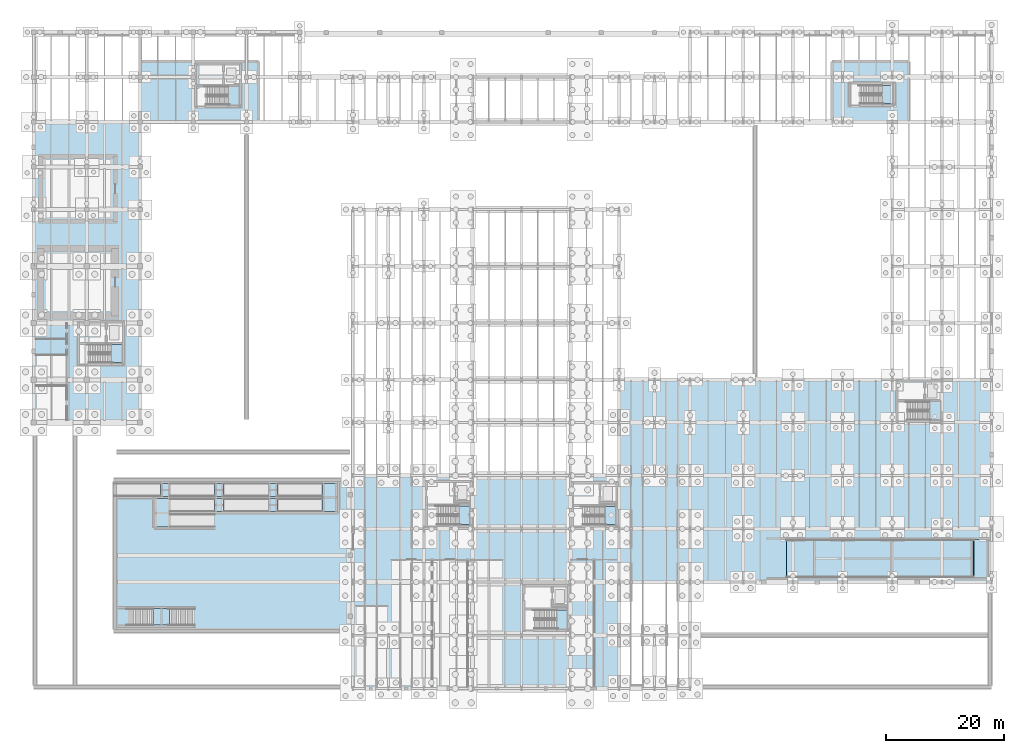
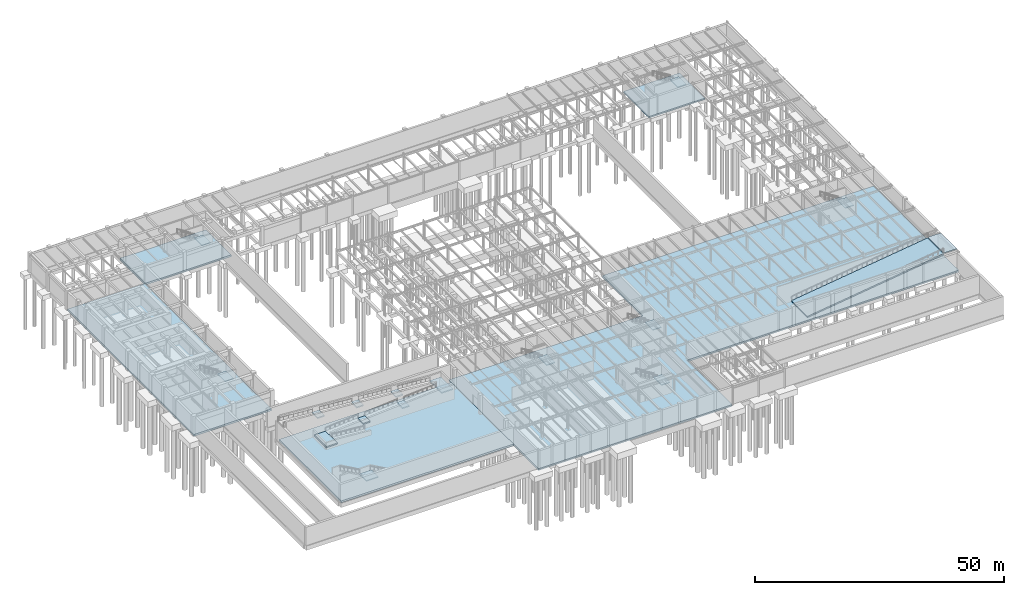
# One storey, part 38 of 59: 22 slabs, 15 elements without a shape of their own.
"""IFC4 building model written with IfcOpenShell, lengths in metres."""

from ifc_helpers import new_model, si_unit, direction, frame, origin, place, context, subcontext, project, spatial, polyline, outline, extrude, material, layer, layer_set, type_object, element, aggregate, save


model = new_model("IFC4")

# Units and contexts
model_context = context("Model", 3, precision=1e-05, world=origin(), true_north=direction((0.0, 1.0)))
body_context = subcontext(model_context, "Body", "Model", "MODEL_VIEW")
ifc_project = project(units=[si_unit("LENGTHUNIT", "METRE"), si_unit("AREAUNIT", "SQUARE_METRE"), si_unit("VOLUMEUNIT", "CUBIC_METRE"), si_unit("PLANEANGLEUNIT", "RADIAN"), si_unit("MASSUNIT", "GRAM", prefix="KILO")], contexts=[model_context])

# Site, building, storey
site_placement = place(None, origin())
site = spatial("IfcSite", under=ifc_project, at=site_placement, CompositionType="ELEMENT")
building_placement = place(site_placement, origin())
building = spatial("IfcBuilding", under=site, at=building_placement, Name="Montealbar Specialist Clinic", CompositionType="ELEMENT")
storey_placement = place(building_placement, frame((0.0, 0.0, -4.800048828125)))
storey = spatial("IfcBuildingStorey", under=building, at=storey_placement, Name="B01", CompositionType="ELEMENT", Elevation=-4.800048828125)

# Slabs
ifc_material_1 = material(Name="Concrete C35/45", Category="concrete")
ifc_layer_1 = layer(ifc_material_1, 0.39990234375, Name="Concrete C35/45", Category="concrete")
ifc_layer_set_1 = layer_set([ifc_layer_1], Name="Concrete C35/45")
slab_type_1 = type_object("IfcSlabType", Name="SL-BASE-400", PredefinedType="BASESLAB", material=ifc_layer_set_1)
slab_1_placement = place(storey_placement, frame((0.0, 0.0, -0.39990234375)))
element("IfcSlab", 1, at=slab_1_placement, inside=storey, type_object=slab_type_1, Name="Structural Slab B01 Wing 2", PredefinedType="BASESLAB", context=body_context, shape_type="SweptSolid", body=[
    extrude(outline(polyline([(148.0, 95.800048828125), (135.0, 95.800048828125), (135.0, 106.0), (148.0, 106.0), (148.0, 95.800048828125)])), origin(), (0.0, 0.0, 1.0), 0.39990234375),
])
ifc_layer_2 = layer(ifc_material_1, 0.449951171875, Name="Concrete C35/45", Category="concrete")
ifc_layer_set_2 = layer_set([ifc_layer_2], Name="Concrete C35/45")
slab_type_2 = type_object("IfcSlabType", Name="SL-BASE-450", PredefinedType="BASESLAB", material=ifc_layer_set_2)
slab_2_placement = place(storey_placement, frame((0.0, 0.0, -0.449951171875)))
element("IfcSlab", 2, at=slab_2_placement, inside=storey, type_object=slab_type_2, Name="Structural Slab B01 Wing 1", PredefinedType="BASESLAB", context=body_context, shape_type="SweptSolid", body=[
    extrude(outline(polyline([(54.0, 0.0), (54.0, 36.0), (99.0, 36.0), (99.0, 52.199951171875), (162.0, 52.199951171875), (162.0, 18.0), (99.0, 18.0), (99.0, 0.0), (54.0, 0.0)])), origin(), (0.0, 0.0, 1.0), 0.449951171875),
])
slab_3_placement = place(storey_placement, frame((0.0, 0.0, -0.449951171875)))
element("IfcSlab", 3, at=slab_3_placement, inside=storey, type_object=slab_type_2, Name="Structural Slab B01 Wing 3", PredefinedType="BASESLAB", context=body_context, shape_type="SweptSolid", body=[
    extrude(outline(polyline([(0.0, 45.0), (0.0, 95.800048828125), (18.0, 95.800048828125), (18.0, 45.0), (0.0, 45.0)])), origin(), (0.0, 0.0, 1.0), 0.449951171875),
])
slab_4_placement = place(storey_placement, frame((0.0, 0.0, -0.449951171875)))
element("IfcSlab", 4, at=slab_4_placement, inside=storey, type_object=slab_type_2, Name="Structural Slab B01 Wing 4", PredefinedType="BASESLAB", context=body_context, shape_type="SweptSolid", body=[
    extrude(outline(polyline([(18.0, 95.800048828125), (18.0, 106.0), (38.0, 106.0), (38.0, 95.800048828125), (18.0, 95.800048828125)])), origin(), (0.0, 0.0, 1.0), 0.449951171875),
])

# Stair, slab
ifc_material_2 = material(Name="Guadarrama granite ashlar", Category="masonry")
stair_type_1 = type_object("IfcStairType", Name="STAIR-METRO-GRAND", PredefinedType="STRAIGHT_RUN_STAIR", material=ifc_material_2)
stair_1_placement = place(storey_placement, origin())
stair_1 = element("IfcStair", 5, at=stair_1_placement, inside=storey, type_object=stair_type_1, Name="Sunken Metro Forecourt Ceremonial Grand Stair ST-M1", PredefinedType="STRAIGHT_RUN_STAIR")
ifc_layer_3 = layer(ifc_material_2, 0.239990234375, Name="Guadarrama granite ashlar", Category="masonry")
ifc_layer_set_3 = layer_set([ifc_layer_3], Name="Guadarrama granite ashlar")
slab_type_3 = type_object("IfcSlabType", Name="SL-METRO-LAND-240", PredefinedType="LANDING", material=ifc_layer_set_3)
slab_5_placement = place(storey_placement, frame((0.0, 0.0, 2.16015625)))
slab_5 = element("IfcSlab", 6, at=slab_5_placement, type_object=slab_type_3, Name="Grand Stair ST-M1 Intermediate Landing", PredefinedType="LANDING", context=body_context, shape_type="SweptSolid", body=[
    extrude(outline(polyline([(20.199951171875, 10.699951171875), (23.0, 10.699951171875), (23.0, 13.5), (20.199951171875, 13.5), (20.199951171875, 10.699951171875)])), origin(), (0.0, 0.0, 1.0), 0.239990234375),
])
aggregate(stair_1, [slab_5])

# Slabs
ifc_layer_4 = layer(ifc_material_1, 0.449951171875, Name="Concrete C35/45", Category="concrete")
ifc_layer_set_4 = layer_set([ifc_layer_4], Name="Concrete C35/45")
slab_type_4 = type_object("IfcSlabType", Name="SL-PAVING-450", PredefinedType="USERDEFINED", material=ifc_layer_set_4)
slab_6_placement = place(storey_placement, frame((0.0, 0.0, -0.449951171875)))
element("IfcSlab", 7, at=slab_6_placement, inside=storey, type_object=slab_type_4, Name="Sunken Metro Forecourt Plaza Paving", ObjectType="PAVING", PredefinedType="USERDEFINED", context=body_context, shape_type="SweptSolid", body=[
    extrude(outline(polyline([(54.0, 10.0), (54.0, 35.0), (14.0, 35.0), (14.0, 10.0), (54.0, 10.0)])), origin(), (0.0, 0.0, 1.0), 0.449951171875),
])
ifc_layer_5 = layer(ifc_material_1, 0.219970703125, Name="Concrete C35/45", Category="concrete")
ifc_layer_set_5 = layer_set([ifc_layer_5], Name="Concrete C35/45")
slab_type_5 = type_object("IfcSlabType", Name="SL-RAMP-LAND-220", PredefinedType="LANDING", material=ifc_layer_set_5)
slab_7_placement = place(storey_placement, frame((0.0, 0.0, 4.580078125)))
element("IfcSlab", 8, at=slab_7_placement, inside=storey, type_object=slab_type_5, Name="Basement Ambulance & Car Park Vehicle Ramp VR-01 Grade Threshold Landing", PredefinedType="LANDING", context=body_context, shape_type="SweptSolid", body=[
    extrude(outline(polyline([(159.0, 18.800048828125), (162.0, 18.800048828125), (162.0, 25.199951171875), (159.0, 25.199951171875), (159.0, 18.800048828125)])), origin(), (0.0, 0.0, 1.0), 0.219970703125),
])

# Ramp, slab
ramp_type = type_object("IfcRampType", Name="RAMP-PED-TYPE", PredefinedType="STRAIGHT_RUN_RAMP", material=ifc_material_2)
ramp_1_placement = place(storey_placement, origin())
ramp_1 = element("IfcRamp", 9, at=ramp_1_placement, inside=storey, type_object=ramp_type, material=ifc_material_2, Name="Sunken Forecourt Accessible Terrace Ramp PR-01", PredefinedType="STRAIGHT_RUN_RAMP")
ifc_layer_6 = layer(ifc_material_2, 0.300048828125, Name="Guadarrama granite ashlar", Category="masonry")
ifc_layer_set_6 = layer_set([ifc_layer_6], Name="Guadarrama granite ashlar")
slab_type_6 = type_object("IfcSlabType", Name="SL-RAMP-LAND-240-EXT", PredefinedType="LANDING", material=ifc_layer_set_6)
slab_8_placement = place(storey_placement, frame((0.0, 0.0, 3.900146484375)))
slab_8 = element("IfcSlab", 10, at=slab_8_placement, type_object=slab_type_6, Name="Accessible Ramp Intermediate Landing PR-01", PredefinedType="LANDING", context=body_context, shape_type="SweptSolid", body=[
    extrude(outline(polyline([(21.5, 32.5), (23.10009765625, 32.5), (23.10009765625, 34.699951171875), (21.5, 34.699951171875), (21.5, 32.5)])), origin(), (0.0, 0.0, 1.0), 0.2998046875),
])
aggregate(ramp_1, [slab_8])

ramp_2_placement = place(storey_placement, origin())
ramp_2 = element("IfcRamp", 11, at=ramp_2_placement, inside=storey, type_object=ramp_type, material=ifc_material_2, Name="Sunken Forecourt Accessible Terrace Ramp PR-02", PredefinedType="STRAIGHT_RUN_RAMP")
slab_9_placement = place(storey_placement, frame((0.0, 0.0, 3.300048828125)))
slab_9 = element("IfcSlab", 12, at=slab_9_placement, type_object=slab_type_6, Name="Accessible Ramp Intermediate Landing PR-02", PredefinedType="LANDING", context=body_context, shape_type="SweptSolid", body=[
    extrude(outline(polyline([(30.60009765625, 32.5), (32.199951171875, 32.5), (32.199951171875, 34.699951171875), (30.60009765625, 34.699951171875), (30.60009765625, 32.5)])), origin(), (0.0, 0.0, 1.0), 0.300048828125),
])
aggregate(ramp_2, [slab_9])

ramp_3_placement = place(storey_placement, origin())
ramp_3 = element("IfcRamp", 13, at=ramp_3_placement, inside=storey, type_object=ramp_type, material=ifc_material_2, Name="Sunken Forecourt Accessible Terrace Ramp PR-03", PredefinedType="STRAIGHT_RUN_RAMP")
slab_10_placement = place(storey_placement, frame((0.0, 0.0, 2.699951171875)))
slab_10 = element("IfcSlab", 14, at=slab_10_placement, type_object=slab_type_6, Name="Accessible Ramp Intermediate Landing PR-03", PredefinedType="LANDING", context=body_context, shape_type="SweptSolid", body=[
    extrude(outline(polyline([(39.699951171875, 32.5), (41.300048828125, 32.5), (41.300048828125, 34.699951171875), (39.699951171875, 34.699951171875), (39.699951171875, 32.5)])), origin(), (0.0, 0.0, 1.0), 0.300048828125),
])
aggregate(ramp_3, [slab_10])

ramp_4_placement = place(storey_placement, origin())
ramp_4 = element("IfcRamp", 15, at=ramp_4_placement, inside=storey, type_object=ramp_type, material=ifc_material_2, Name="Sunken Forecourt Accessible Terrace Ramp PR-04", PredefinedType="STRAIGHT_RUN_RAMP")
slab_11_placement = place(storey_placement, frame((0.0, 0.0, 2.10009765625)))
slab_11 = element("IfcSlab", 16, at=slab_11_placement, type_object=slab_type_6, Name="Accessible Ramp Intermediate Landing PR-04", PredefinedType="LANDING", context=body_context, shape_type="SweptSolid", body=[
    extrude(outline(polyline([(48.800048828125, 29.89990234375), (51.39990234375, 29.89990234375), (51.39990234375, 34.699951171875), (48.800048828125, 34.699951171875), (48.800048828125, 29.89990234375)])), origin(), (0.0, 0.0, 1.0), 0.300048828125),
])
aggregate(ramp_4, [slab_11])

ramp_5_placement = place(storey_placement, origin())
ramp_5 = element("IfcRamp", 17, at=ramp_5_placement, inside=storey, type_object=ramp_type, material=ifc_material_2, Name="Sunken Forecourt Accessible Terrace Ramp PR-05", PredefinedType="STRAIGHT_RUN_RAMP")
slab_12_placement = place(storey_placement, frame((0.0, 0.0, 1.5)))
slab_12 = element("IfcSlab", 18, at=slab_12_placement, type_object=slab_type_6, Name="Accessible Ramp Intermediate Landing PR-05", PredefinedType="LANDING", context=body_context, shape_type="SweptSolid", body=[
    extrude(outline(polyline([(39.699951171875, 29.89990234375), (41.300048828125, 29.89990234375), (41.300048828125, 32.10009765625), (39.699951171875, 32.10009765625), (39.699951171875, 29.89990234375)])), origin(), (0.0, 0.0, 1.0), 0.300048828125),
])
aggregate(ramp_5, [slab_12])

ramp_6_placement = place(storey_placement, origin())
ramp_6 = element("IfcRamp", 19, at=ramp_6_placement, inside=storey, type_object=ramp_type, material=ifc_material_2, Name="Sunken Forecourt Accessible Terrace Ramp PR-06", PredefinedType="STRAIGHT_RUN_RAMP")
slab_13_placement = place(storey_placement, frame((0.0, 0.0, 0.900146484375)))
slab_13 = element("IfcSlab", 20, at=slab_13_placement, type_object=slab_type_6, Name="Accessible Ramp Intermediate Landing PR-06", PredefinedType="LANDING", context=body_context, shape_type="SweptSolid", body=[
    extrude(outline(polyline([(30.60009765625, 29.89990234375), (32.199951171875, 29.89990234375), (32.199951171875, 32.10009765625), (30.60009765625, 32.10009765625), (30.60009765625, 29.89990234375)])), origin(), (0.0, 0.0, 1.0), 0.2998046875),
])
aggregate(ramp_6, [slab_13])

ramp_7_placement = place(storey_placement, origin())
ramp_7 = element("IfcRamp", 21, at=ramp_7_placement, inside=storey, type_object=ramp_type, material=ifc_material_2, Name="Sunken Forecourt Accessible Terrace Ramp PR-07", PredefinedType="STRAIGHT_RUN_RAMP")
slab_14_placement = place(storey_placement, frame((0.0, 0.0, 0.300048828125)))
slab_14 = element("IfcSlab", 22, at=slab_14_placement, type_object=slab_type_6, Name="Accessible Ramp Intermediate Landing PR-07", PredefinedType="LANDING", context=body_context, shape_type="SweptSolid", body=[
    extrude(outline(polyline([(20.5, 27.300048828125), (23.10009765625, 27.300048828125), (23.10009765625, 32.10009765625), (20.5, 32.10009765625), (20.5, 27.300048828125)])), origin(), (0.0, 0.0, 1.0), 0.300048828125),
])
aggregate(ramp_7, [slab_14])

# Slab
ifc_layer_7 = layer(ifc_material_1, 0.300048828125, Name="Concrete C35/45", Category="concrete")
ifc_layer_set_7 = layer_set([ifc_layer_7], Name="Concrete C35/45")
slab_type_7 = type_object("IfcSlabType", Name="SL-RAMP-STRUCT-300", PredefinedType="FLOOR", material=ifc_layer_set_7)
slab_15_placement = place(storey_placement, frame((127.300048828125, 18.800048828125, 0.321044921875), z_axis=(-0.135856621539, 0.0, 0.990728508919), x_axis=(0.990728508919, 0.0, 0.135856621539)))
element("IfcSlab", 23, at=slab_15_placement, inside=storey, type_object=slab_type_7, Name="Basement Ambulance & Car Park Vehicle Ramp Slab VR-01", PredefinedType="FLOOR", context=body_context, shape_type="SweptSolid", body=[
    extrude(outline(polyline([(0.0, 0.0), (31.946090234444366, 0.0), (31.946090234444366, 6.399902343750002), (0.0, 6.399902343750002), (0.0, 0.0)])), origin(), (0.0, 0.0, -1.0), 0.300048828125),
])

# Stair, slab
stair_type_2 = type_object("IfcStairType", Name="STAIR-HT-01", PredefinedType="HALF_TURN_STAIR", material=ifc_material_1)
stair_2_placement = place(storey_placement, origin())
stair_2 = element("IfcStair", 24, at=stair_2_placement, inside=storey, type_object=stair_type_2, Name="B01 Protected Exit Stair Core C1", PredefinedType="HALF_TURN_STAIR")
ifc_layer_8 = layer(ifc_material_1, 0.199951171875, Name="Concrete C35/45", Category="concrete")
ifc_layer_set_8 = layer_set([ifc_layer_8], Name="Concrete C35/45")
slab_type_8 = type_object("IfcSlabType", Name="SL-STAIR-LAND-200", PredefinedType="LANDING", material=ifc_layer_set_8)
slab_16_placement = place(storey_placement, frame((0.0, 0.0, 2.199951171875)))
slab_16 = element("IfcSlab", 25, at=slab_16_placement, type_object=slab_type_8, Name="ST-01 landing 1", PredefinedType="LANDING", context=body_context, shape_type="SweptSolid", body=[
    extrude(outline(polyline([(13.054931640625, 55.10009765625), (15.050048828125, 55.10009765625), (15.050048828125, 58.199951171875), (13.054931640625, 58.199951171875), (13.054931640625, 55.10009765625)])), origin(), (0.0, 0.0, 1.0), 0.2001953125),
])
aggregate(stair_2, [slab_16])

stair_3_placement = place(storey_placement, origin())
stair_3 = element("IfcStair", 26, at=stair_3_placement, inside=storey, type_object=stair_type_2, Name="B01 Protected Exit Stair Core C2", PredefinedType="HALF_TURN_STAIR")
slab_17_placement = place(storey_placement, frame((0.0, 0.0, 2.199951171875)))
slab_17 = element("IfcSlab", 27, at=slab_17_placement, type_object=slab_type_8, Name="ST-02 landing 1", PredefinedType="LANDING", context=body_context, shape_type="SweptSolid", body=[
    extrude(outline(polyline([(32.85498046875, 98.699951171875), (34.85009765625, 98.699951171875), (34.85009765625, 101.800048828125), (32.85498046875, 101.800048828125), (32.85498046875, 98.699951171875)])), origin(), (0.0, 0.0, 1.0), 0.2001953125),
])
aggregate(stair_3, [slab_17])

stair_type_3 = type_object("IfcStairType", Name="STAIR-HT-04", PredefinedType="HALF_TURN_STAIR", material=ifc_material_1)
stair_4_placement = place(storey_placement, origin())
stair_4 = element("IfcStair", 28, at=stair_4_placement, inside=storey, type_object=stair_type_3, Name="B01 Protected Exit Stair Core C3", PredefinedType="HALF_TURN_STAIR")
slab_18_placement = place(storey_placement, frame((0.0, 0.0, 2.199951171875)))
slab_18 = element("IfcSlab", 29, at=slab_18_placement, type_object=slab_type_8, Name="ST-03 landing 1", PredefinedType="LANDING", context=body_context, shape_type="SweptSolid", body=[
    extrude(outline(polyline([(71.905029296875, 27.699951171875), (73.85009765625, 27.699951171875), (73.85009765625, 30.89990234375), (71.905029296875, 30.89990234375), (71.905029296875, 27.699951171875)])), origin(), (0.0, 0.0, 1.0), 0.2001953125),
])
aggregate(stair_4, [slab_18])

stair_5_placement = place(storey_placement, origin())
stair_5 = element("IfcStair", 30, at=stair_5_placement, inside=storey, type_object=stair_type_3, Name="B01 Protected Exit Stair Core C4", PredefinedType="HALF_TURN_STAIR")
slab_19_placement = place(storey_placement, frame((0.0, 0.0, 2.199951171875)))
slab_19 = element("IfcSlab", 31, at=slab_19_placement, type_object=slab_type_8, Name="ST-04 landing 1", PredefinedType="LANDING", context=body_context, shape_type="SweptSolid", body=[
    extrude(outline(polyline([(88.405029296875, 10.10009765625), (90.35009765625, 10.10009765625), (90.35009765625, 13.300048828125), (88.405029296875, 13.300048828125), (88.405029296875, 10.10009765625)])), origin(), (0.0, 0.0, 1.0), 0.2001953125),
])
aggregate(stair_5, [slab_19])

stair_6_placement = place(storey_placement, origin())
stair_6 = element("IfcStair", 32, at=stair_6_placement, inside=storey, type_object=stair_type_2, Name="B01 Protected Exit Stair Core C5", PredefinedType="HALF_TURN_STAIR")
slab_20_placement = place(storey_placement, frame((0.0, 0.0, 2.199951171875)))
slab_20 = element("IfcSlab", 33, at=slab_20_placement, type_object=slab_type_8, Name="ST-05 landing 1", PredefinedType="LANDING", context=body_context, shape_type="SweptSolid", body=[
    extrude(outline(polyline([(96.554931640625, 27.699951171875), (98.550048828125, 27.699951171875), (98.550048828125, 30.800048828125), (96.554931640625, 30.800048828125), (96.554931640625, 27.699951171875)])), origin(), (0.0, 0.0, 1.0), 0.2001953125),
])
aggregate(stair_6, [slab_20])

stair_7_placement = place(storey_placement, origin())
stair_7 = element("IfcStair", 34, at=stair_7_placement, inside=storey, type_object=stair_type_2, Name="B01 Protected Exit Stair Core C6", PredefinedType="HALF_TURN_STAIR")
slab_21_placement = place(storey_placement, frame((0.0, 0.0, 2.199951171875)))
slab_21 = element("IfcSlab", 35, at=slab_21_placement, type_object=slab_type_8, Name="ST-06 landing 1", PredefinedType="LANDING", context=body_context, shape_type="SweptSolid", body=[
    extrude(outline(polyline([(151.455078125, 45.39990234375), (153.449951171875, 45.39990234375), (153.449951171875, 48.5), (151.455078125, 48.5), (151.455078125, 45.39990234375)])), origin(), (0.0, 0.0, 1.0), 0.2001953125),
])
aggregate(stair_7, [slab_21])

stair_8_placement = place(storey_placement, origin())
stair_8 = element("IfcStair", 36, at=stair_8_placement, inside=storey, type_object=stair_type_2, Name="B01 Protected Exit Stair Core C7", PredefinedType="HALF_TURN_STAIR")
slab_22_placement = place(storey_placement, frame((0.0, 0.0, 2.199951171875)))
slab_22 = element("IfcSlab", 37, at=slab_22_placement, type_object=slab_type_8, Name="ST-07 landing 1", PredefinedType="LANDING", context=body_context, shape_type="SweptSolid", body=[
    extrude(outline(polyline([(143.455078125, 98.89990234375), (145.449951171875, 98.89990234375), (145.449951171875, 102.0), (143.455078125, 102.0), (143.455078125, 98.89990234375)])), origin(), (0.0, 0.0, 1.0), 0.2001953125),
])
aggregate(stair_8, [slab_22])

save(model, "model.ifc")
